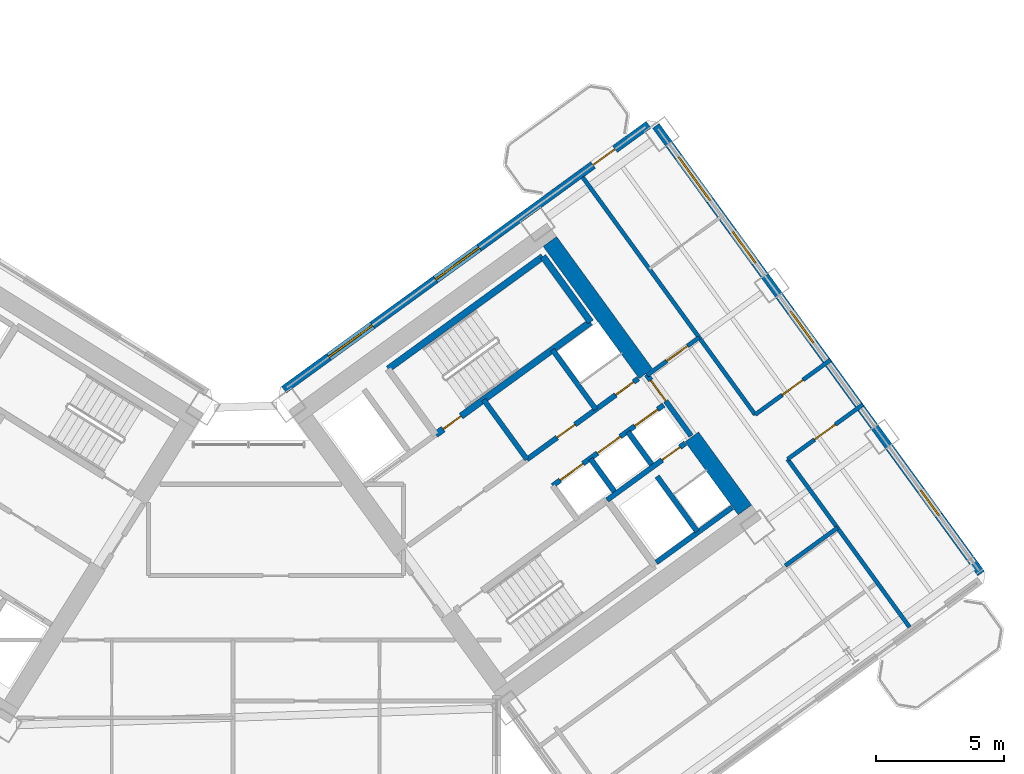
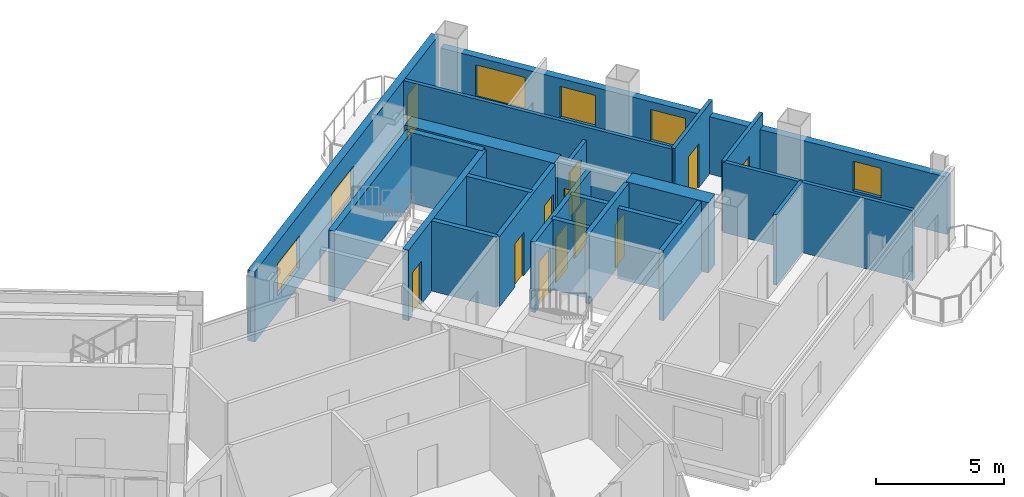
# One storey, part 19 of 28: 23 walls, 12 doors, 6 windows, 18 openings.
"""IFC4 building model written with IfcOpenShell, lengths in metres."""

from ifc_helpers import new_model, si_unit, direction, frame, frame_2d, origin, place, context, subcontext, project, spatial, rectangle, extrude, source, transform, mapped, material, layer, layer_set, type_object, element, fill, save


model = new_model("IFC4")

# Units and contexts
model_context = context("Model", 3, precision=1e-05, world=origin(), true_north=direction((0.0, 1.0)))
body_context = subcontext(model_context, "Body", "Model", "MODEL_VIEW")
ifc_project = project(units=[si_unit("LENGTHUNIT", "METRE"), si_unit("AREAUNIT", "SQUARE_METRE"), si_unit("VOLUMEUNIT", "CUBIC_METRE"), si_unit("PLANEANGLEUNIT", "RADIAN"), si_unit("MASSUNIT", "GRAM", prefix="KILO")], contexts=[model_context])

# Site, building, storey
site_placement = place(None, origin())
site = spatial("IfcSite", under=ifc_project, at=site_placement, CompositionType="ELEMENT")
building_placement = place(site_placement, origin())
building = spatial("IfcBuilding", under=site, at=building_placement, Name="Tlacorven Tower", CompositionType="ELEMENT")
storey_placement = place(building_placement, frame((0.0, 0.0, 49.199951171875)))
storey = spatial("IfcBuildingStorey", under=building, at=storey_placement, Name="L12", CompositionType="ELEMENT", Elevation=49.199951171875)

# Walls
ifc_material_1 = material(Name="Concrete C60/75", Category="concrete")
ifc_layer_1 = layer(ifc_material_1, 0.64990234375)
ifc_layer_set_1 = layer_set([ifc_layer_1], Name="Concrete C60/75")
wall_type_1 = type_object("IfcWallType", Name="WL-COR-650", PredefinedType="SHEAR", material=ifc_layer_set_1)
wall_1_placement = place(storey_placement, frame((61.9287109375, 20.494384765625, 0.0), z_axis=(0.0, 0.0, 1.0), x_axis=(-0.58782982593, 0.808984607855, 0.0)))
element("IfcWall", 1, at=wall_1_placement, inside=storey, type_object=wall_type_1, Name="L12 E core end wall E2.1", PredefinedType="SHEAR", context=body_context, shape_type="SweptSolid", body=[
    extrude(rectangle(XDim=3.52490234375, YDim=0.64990234375, at=frame_2d((1.762451171875, 0.0))), origin(), (0.0, 0.0, 1.0), 3.35009765625),
])
wall_2_placement = place(storey_placement, frame((58.06396484375, 25.8134765625, 0.0), z_axis=(0.0, 0.0, 1.0), x_axis=(-0.58777996584, 0.809020835181, 0.0)))
element("IfcWall", 2, at=wall_2_placement, inside=storey, type_object=wall_type_1, Name="L12 E core end wall E2.2", PredefinedType="SHEAR", context=body_context, shape_type="SweptSolid", body=[
    extrude(rectangle(XDim=6.375, YDim=0.64990234375, at=frame_2d((3.1875, 0.0))), origin(), (0.0, 0.0, 1.0), 3.35009765625),
])
ifc_material_2 = material(Name="Gypsum plasterboard acoustic partition", Category="gypsum")
ifc_layer_2 = layer(ifc_material_2, 0.159912109375)
ifc_layer_set_2 = layer_set([ifc_layer_2], Name="Gypsum plasterboard acoustic partition")
wall_type_2 = type_object("IfcWallType", Name="WL-DEM-160", PredefinedType="PARTITIONING", material=ifc_layer_set_2)
wall_3_placement = place(storey_placement, frame((63.5068359375, 18.322021484375, 0.0), z_axis=(0.0, 0.0, 1.0), x_axis=(0.809034604122, 0.587761013791, 0.0)))
element("IfcWall", 3, at=wall_3_placement, inside=storey, type_object=wall_type_2, Name="L12 partition 96", PredefinedType="PARTITIONING", context=body_context, shape_type="SweptSolid", body=[
    extrude(rectangle(XDim=2.510009765625, YDim=0.159912109375, at=frame_2d((1.2548828125, 0.0))), origin(), (0.0, 0.0, 1.0), 3.340087890625),
])

# Wall, opening, door
wall_4_placement = place(storey_placement, frame((58.111083984375, 25.748779296875, 0.0), z_axis=(0.0, 0.0, 1.0), x_axis=(0.809000999347, 0.58780726693, 0.0)))
wall_4 = element("IfcWall", 4, at=wall_4_placement, inside=storey, type_object=wall_type_2, Name="L12 partition 97", PredefinedType="PARTITIONING", context=body_context, shape_type="SweptSolid", body=[
    extrude(rectangle(XDim=2.510009765625, YDim=0.159912109375, at=frame_2d((1.2548828125, 0.0))), origin(), (0.0, 0.0, 1.0), 2.72509765625),
])
opening_1_placement = place(wall_4_placement, frame((0.949951171875, 0.0, 0.0)))
opening_1 = element("IfcOpeningElement", 5, at=opening_1_placement, cuts=wall_4, Name="Opening D11", PredefinedType="OPENING", context=body_context, shape_type="SweptSolid", body=[
    extrude(rectangle(XDim=1.0, YDim=2.10009765625, at=frame_2d((0.5, 1.050048828125))), frame((0.0, 0.08984375, 0.0), z_axis=(0.0, -1.0, 0.0), x_axis=(1.0, 0.0, 0.0)), (0.0, 0.0, 1.0), 0.179931640625),
])
ifc_material_3 = material(Name="Fire-rated steel door assembly", Category="steel")
door_type_1 = type_object("IfcDoorType", Name="DR-FLT-FD60-1000", OperationType="NOTDEFINED", PredefinedType="DOOR", material=ifc_material_3)
shared_shape_1 = source(origin(), body_context, "Body", "SweptSolid", [
    extrude(rectangle(XDim=1.0, YDim=2.10009765625, at=frame_2d((0.5, 1.050048828125))), frame((0.0, 0.02490234375, 0.0), z_axis=(0.0, -1.0, 0.0), x_axis=(1.0, 0.0, 0.0)), (0.0, 0.0, 1.0), 0.050048828125),
])
door_1_placement = place(opening_1_placement, origin())
door_1 = element("IfcDoor", 6, at=door_1_placement, inside=storey, type_object=door_type_1, Name="L12 door 060", OperationType="SINGLE_SWING_RIGHT", OverallHeight=2.10009765625, OverallWidth=1.0, PredefinedType="DOOR", context=body_context, shape_type="MappedRepresentation", body=[
    mapped(shared_shape_1, transform((0.0, 0.0, 0.0), scale=1.0)),
])
fill(opening_1, door_1)

# Walls
wall_5_placement = place(storey_placement, frame((68.35302734375, 15.922119140625, 0.0), z_axis=(0.0, 0.0, 1.0), x_axis=(-0.58776839458, 0.809029241952, 0.0)))
element("IfcWall", 7, at=wall_5_placement, inside=storey, type_object=wall_type_2, Name="L12 partition 98", PredefinedType="PARTITIONING", context=body_context, shape_type="SweptSolid", body=[
    extrude(rectangle(XDim=8.10009765625, YDim=0.159912109375, at=frame_2d((4.050048828125, 0.0))), origin(), (0.0, 0.0, 1.0), 3.340087890625),
])
wall_6_placement = place(storey_placement, frame((62.328125, 24.214599609375, 0.0), z_axis=(0.0, 0.0, 1.0), x_axis=(-0.587778600963, 0.809021826807, 0.0)))
element("IfcWall", 8, at=wall_6_placement, inside=storey, type_object=wall_type_2, Name="L12 partition 99", PredefinedType="PARTITIONING", context=body_context, shape_type="SweptSolid", body=[
    extrude(rectangle(XDim=11.449951171875, YDim=0.159912109375, at=frame_2d((5.72509765625, 0.0))), origin(), (0.0, 0.0, 1.0), 3.340087890625),
])

# Wall, opening, door
wall_7_placement = place(storey_placement, frame((63.592041015625, 22.475341796875, 0.0), z_axis=(0.0, 0.0, 1.0), x_axis=(0.809035546126, 0.58775971715, 0.0)))
wall_7 = element("IfcWall", 9, at=wall_7_placement, inside=storey, type_object=wall_type_2, Name="L12 partition 101", PredefinedType="PARTITIONING", context=body_context, shape_type="SweptSolid", body=[
    extrude(rectangle(XDim=3.6298828125, YDim=0.159912109375, at=frame_2d((1.81494140625, 0.0))), origin(), (0.0, 0.0, 1.0), 3.340087890625),
])
opening_2_placement = place(wall_7_placement, frame((1.304931640625, 0.0, 0.0)))
opening_2 = element("IfcOpeningElement", 10, at=opening_2_placement, cuts=wall_7, Name="Opening D11", PredefinedType="OPENING", context=body_context, shape_type="SweptSolid", body=[
    extrude(rectangle(XDim=1.0, YDim=2.10009765625, at=frame_2d((0.5, 1.050048828125))), frame((0.0, 0.08984375, 0.0), z_axis=(0.0, -1.0, 0.0), x_axis=(1.0, 0.0, 0.0)), (0.0, 0.0, 1.0), 0.179931640625),
])
door_2_placement = place(opening_2_placement, origin())
door_2 = element("IfcDoor", 11, at=door_2_placement, inside=storey, type_object=door_type_1, Name="L12 door 064", OperationType="SINGLE_SWING_RIGHT", OverallHeight=2.10009765625, OverallWidth=1.0, PredefinedType="DOOR", context=body_context, shape_type="MappedRepresentation", body=[
    mapped(shared_shape_1, transform((0.0, 0.0, 0.0), scale=1.0)),
])
fill(opening_2, door_2)

wall_8_placement = place(storey_placement, frame((62.328125, 24.214599609375, 0.0), z_axis=(0.0, 0.0, 1.0), x_axis=(0.809003564202, 0.587803736896, 0.0)))
wall_8 = element("IfcWall", 12, at=wall_8_placement, inside=storey, type_object=wall_type_2, Name="L12 partition 102", PredefinedType="PARTITIONING", context=body_context, shape_type="SweptSolid", body=[
    extrude(rectangle(XDim=3.630126953125, YDim=0.159912109375, at=frame_2d((1.81494140625, 0.0))), origin(), (0.0, 0.0, 1.0), 3.340087890625),
])
opening_3_placement = place(wall_8_placement, frame((1.304931640625, 0.0, 0.0)))
opening_3 = element("IfcOpeningElement", 13, at=opening_3_placement, cuts=wall_8, Name="Opening D11", PredefinedType="OPENING", context=body_context, shape_type="SweptSolid", body=[
    extrude(rectangle(XDim=1.0, YDim=2.10009765625, at=frame_2d((0.5, 1.050048828125))), frame((0.0, 0.08984375, 0.0), z_axis=(0.0, -1.0, 0.0), x_axis=(1.0, 0.0, 0.0)), (0.0, 0.0, 1.0), 0.179931640625),
])
door_3_placement = place(opening_3_placement, origin())
door_3 = element("IfcDoor", 14, at=door_3_placement, inside=storey, type_object=door_type_1, Name="L12 door 062", OperationType="SINGLE_SWING_RIGHT", OverallHeight=2.10009765625, OverallWidth=1.0, PredefinedType="DOOR", context=body_context, shape_type="MappedRepresentation", body=[
    mapped(shared_shape_1, transform((0.0, 0.0, 0.0), scale=1.0)),
])
fill(opening_3, door_3)

# Wall, openings, door, windows
ifc_material_4 = material(Name="Precast concrete C45/55", Category="concrete")
ifc_layer_3 = layer(ifc_material_4, 0.320068359375)
ifc_layer_set_3 = layer_set([ifc_layer_3], Name="Precast concrete C45/55")
wall_type_3 = type_object("IfcWallType", Name="WL-EXT-320", PredefinedType="STANDARD", material=ifc_layer_set_3)
wall_9_placement = place(storey_placement, frame((43.93798828125, 25.191650390625, 0.0), z_axis=(0.0, 0.0, 1.0), x_axis=(0.809016324578, 0.587786174187, 0.0)))
wall_9 = element("IfcWall", 15, at=wall_9_placement, inside=storey, type_object=wall_type_3, Name="L12 Masonry-Frame Recessed Facade Wall 4", PredefinedType="STANDARD", context=body_context, shape_type="SweptSolid", body=[
    extrude(rectangle(XDim=17.58740234375, YDim=0.320068359375, at=frame_2d((8.793701171875, 0.0))), origin(), (0.0, 0.0, 1.0), 3.35009765625),
])
opening_4_placement = place(wall_9_placement, frame((14.913818359375, 0.0, 0.0)))
opening_4 = element("IfcOpeningElement", 16, at=opening_4_placement, cuts=wall_9, Name="Opening D06", PredefinedType="OPENING", context=body_context, shape_type="SweptSolid", body=[
    extrude(rectangle(XDim=1.050048828125, YDim=2.14990234375, at=frame_2d((0.52490234375, 1.074951171875))), frame((0.0, 0.169921875, 0.0), z_axis=(0.0, -1.0, 0.0), x_axis=(1.0, 0.0, 0.0)), (0.0, 0.0, 1.0), 0.340087890625),
])
opening_5_placement = place(wall_9_placement, frame((2.168701171875, 0.0, 0.800048828125)))
opening_5 = element("IfcOpeningElement", 17, at=opening_5_placement, cuts=wall_9, Name="Opening WN04", PredefinedType="OPENING", context=body_context, shape_type="SweptSolid", body=[
    extrude(rectangle(XDim=2.10009765625, YDim=1.550048828125, at=frame_2d((1.050048828125, 0.77490234375))), frame((0.0, 0.169921875, 0.0), z_axis=(0.0, -1.0, 0.0), x_axis=(1.0, 0.0, 0.0)), (0.0, 0.0, 1.0), 0.340087890625),
])
opening_6_placement = place(wall_9_placement, frame((7.318603515625, 0.0, 0.800048828125)))
opening_6 = element("IfcOpeningElement", 18, at=opening_6_placement, cuts=wall_9, Name="Opening WN04", PredefinedType="OPENING", context=body_context, shape_type="SweptSolid", body=[
    extrude(rectangle(XDim=2.10009765625, YDim=1.550048828125, at=frame_2d((1.050048828125, 0.77490234375))), frame((0.0, 0.169921875, 0.0), z_axis=(0.0, -1.0, 0.0), x_axis=(1.0, 0.0, 0.0)), (0.0, 0.0, 1.0), 0.340087890625),
])
ifc_material_5 = material(Name="Powder-coated aluminium and timber door", Category="wood")
door_type_2 = type_object("IfcDoorType", Name="DR-EXT-BALC-1050", OperationType="NOTDEFINED", PredefinedType="DOOR", material=ifc_material_5)
shared_shape_2 = source(origin(), body_context, "Body", "SweptSolid", [
    extrude(rectangle(XDim=1.050048828125, YDim=2.14990234375, at=frame_2d((0.52490234375, 1.074951171875))), frame((0.0, 0.02490234375, 0.0), z_axis=(0.0, -1.0, 0.0), x_axis=(1.0, 0.0, 0.0)), (0.0, 0.0, 1.0), 0.050048828125),
])
door_4_placement = place(opening_4_placement, origin())
door_4 = element("IfcDoor", 19, at=door_4_placement, inside=storey, type_object=door_type_2, Name="L12 Outdoor Access Door BAL-L12-E-IN", OperationType="SINGLE_SWING_RIGHT", OverallHeight=2.14990234375, OverallWidth=1.050048828125, PredefinedType="DOOR", context=body_context, shape_type="MappedRepresentation", body=[
    mapped(shared_shape_2, transform((0.0, 0.0, 0.0), scale=1.0)),
])
fill(opening_4, door_4)
ifc_material_6 = material(Name="Dark solar low-E double glazing in anodised aluminium frame", Category="aluminium")
window_type_1 = type_object("IfcWindowType", Name="WN-APT-2100X1750", PartitioningType="SINGLE_PANEL", PredefinedType="WINDOW", material=ifc_material_6)
shared_shape_3 = source(origin(), body_context, "Body", "SweptSolid", [
    extrude(rectangle(XDim=2.10009765625, YDim=1.550048828125, at=frame_2d((1.050048828125, 0.77490234375))), frame((0.0, 0.030029296875, 0.0), z_axis=(0.0, -1.0, 0.0), x_axis=(1.0, 0.0, 0.0)), (0.0, 0.0, 1.0), 0.06005859375),
])
window_1_placement = place(opening_5_placement, origin())
window_1 = element("IfcWindow", 20, at=window_1_placement, inside=storey, type_object=window_type_1, Name="L12 Recessed Masonry-Frame Window L12-04.1", OverallHeight=1.550048828125, OverallWidth=2.10009765625, PartitioningType="SINGLE_PANEL", PredefinedType="WINDOW", context=body_context, shape_type="MappedRepresentation", body=[
    mapped(shared_shape_3, transform((0.0, 0.0, 0.0), scale=1.0)),
])
fill(opening_5, window_1)
window_2_placement = place(opening_6_placement, origin())
window_2 = element("IfcWindow", 21, at=window_2_placement, inside=storey, type_object=window_type_1, Name="L12 Recessed Masonry-Frame Window L12-04.2", OverallHeight=1.550048828125, OverallWidth=2.10009765625, PartitioningType="SINGLE_PANEL", PredefinedType="WINDOW", context=body_context, shape_type="MappedRepresentation", body=[
    mapped(shared_shape_3, transform((0.0, 0.0, 0.0), scale=1.0)),
])
fill(opening_6, window_2)

# Wall, openings, windows
wall_10_placement = place(storey_placement, frame((58.45458984375, 35.483642578125, 0.0), z_axis=(0.0, 0.0, 1.0), x_axis=(0.587783625747, -0.809018176127, 0.0)))
wall_10 = element("IfcWall", 22, at=wall_10_placement, inside=storey, type_object=wall_type_3, Name="L12 Masonry-Frame Recessed Facade Wall 5", PredefinedType="STANDARD", context=body_context, shape_type="SweptSolid", body=[
    extrude(rectangle(XDim=21.58740234375, YDim=0.320068359375, at=frame_2d((10.793701171875, 0.0))), origin(), (0.0, 0.0, 1.0), 2.72509765625),
])
opening_7_placement = place(wall_10_placement, frame((1.500244140625, 0.0, 0.800048828125)))
opening_7 = element("IfcOpeningElement", 23, at=opening_7_placement, cuts=wall_10, Name="Opening WN04", PredefinedType="OPENING", context=body_context, shape_type="SweptSolid", body=[
    extrude(rectangle(XDim=2.10009765625, YDim=1.550048828125, at=frame_2d((1.050048828125, 0.77490234375))), frame((0.0, 0.169921875, 0.0), z_axis=(0.0, -1.0, 0.0), x_axis=(1.0, 0.0, 0.0)), (0.0, 0.0, 1.0), 0.340087890625),
])
opening_8_placement = place(wall_10_placement, frame((5.105224609375, 0.0, 0.85009765625)))
opening_8 = element("IfcOpeningElement", 24, at=opening_8_placement, cuts=wall_10, Name="Opening WN02", PredefinedType="OPENING", context=body_context, shape_type="SweptSolid", body=[
    extrude(rectangle(XDim=1.5, YDim=1.5, at=frame_2d((0.75, 0.75))), frame((0.0, 0.169921875, 0.0), z_axis=(0.0, -1.0, 0.0), x_axis=(1.0, 0.0, 0.0)), (0.0, 0.0, 1.0), 0.340087890625),
])
opening_9_placement = place(wall_10_placement, frame((8.95361328125, 0.0, 0.85009765625)))
opening_9 = element("IfcOpeningElement", 25, at=opening_9_placement, cuts=wall_10, Name="Opening WN02", PredefinedType="OPENING", context=body_context, shape_type="SweptSolid", body=[
    extrude(rectangle(XDim=1.5, YDim=1.5, at=frame_2d((0.75, 0.75))), frame((0.0, 0.169921875, 0.0), z_axis=(0.0, -1.0, 0.0), x_axis=(1.0, 0.0, 0.0)), (0.0, 0.0, 1.0), 0.340087890625),
])
opening_10_placement = place(wall_10_placement, frame((17.581298828125, 0.0, 0.949951171875)))
opening_10 = element("IfcOpeningElement", 26, at=opening_10_placement, cuts=wall_10, Name="Opening WN03", PredefinedType="OPENING", context=body_context, shape_type="SweptSolid", body=[
    extrude(rectangle(XDim=1.199951171875, YDim=1.39990234375, at=frame_2d((0.60009765625, 0.699951171875))), frame((0.0, 0.169921875, 0.0), z_axis=(0.0, -1.0, 0.0), x_axis=(1.0, 0.0, 0.0)), (0.0, 0.0, 1.0), 0.340087890625),
])
window_3_placement = place(opening_7_placement, origin())
window_3 = element("IfcWindow", 27, at=window_3_placement, inside=storey, type_object=window_type_1, Name="L12 Recessed Masonry-Frame Window L12-05.1", OverallHeight=1.550048828125, OverallWidth=2.10009765625, PartitioningType="SINGLE_PANEL", PredefinedType="WINDOW", context=body_context, shape_type="MappedRepresentation", body=[
    mapped(shared_shape_3, transform((0.0, 0.0, 0.0), scale=1.0)),
])
fill(opening_7, window_3)
window_type_2 = type_object("IfcWindowType", Name="WN-APT-1200X1500", PartitioningType="SINGLE_PANEL", PredefinedType="WINDOW", material=ifc_material_6)
shared_shape_4 = source(origin(), body_context, "Body", "SweptSolid", [
    extrude(rectangle(XDim=1.199951171875, YDim=1.39990234375, at=frame_2d((0.60009765625, 0.699951171875))), frame((0.0, 0.030029296875, 0.0), z_axis=(0.0, -1.0, 0.0), x_axis=(1.0, 0.0, 0.0)), (0.0, 0.0, 1.0), 0.06005859375),
])
window_4_placement = place(opening_10_placement, origin())
window_4 = element("IfcWindow", 28, at=window_4_placement, inside=storey, type_object=window_type_2, Name="L12 Recessed Masonry-Frame Window L12-05.4", OverallHeight=1.39990234375, OverallWidth=1.199951171875, PartitioningType="SINGLE_PANEL", PredefinedType="WINDOW", context=body_context, shape_type="MappedRepresentation", body=[
    mapped(shared_shape_4, transform((0.0, 0.0, 0.0), scale=1.0)),
])
fill(opening_10, window_4)
window_type_3 = type_object("IfcWindowType", Name="WN-APT-1500X1650", PartitioningType="SINGLE_PANEL", PredefinedType="WINDOW", material=ifc_material_6)
shared_shape_5 = source(origin(), body_context, "Body", "SweptSolid", [
    extrude(rectangle(XDim=1.5, YDim=1.5, at=frame_2d((0.75, 0.75))), frame((0.0, 0.030029296875, 0.0), z_axis=(0.0, -1.0, 0.0), x_axis=(1.0, 0.0, 0.0)), (0.0, 0.0, 1.0), 0.06005859375),
])
window_5_placement = place(opening_8_placement, origin())
window_5 = element("IfcWindow", 29, at=window_5_placement, inside=storey, type_object=window_type_3, Name="L12 Recessed Masonry-Frame Window L12-05.2", OverallHeight=1.5, OverallWidth=1.5, PartitioningType="SINGLE_PANEL", PredefinedType="WINDOW", context=body_context, shape_type="MappedRepresentation", body=[
    mapped(shared_shape_5, transform((0.0, 0.0, 0.0), scale=1.0)),
])
fill(opening_8, window_5)
window_6_placement = place(opening_9_placement, origin())
window_6 = element("IfcWindow", 30, at=window_6_placement, inside=storey, type_object=window_type_3, Name="L12 Recessed Masonry-Frame Window L12-05.3", OverallHeight=1.5, OverallWidth=1.5, PartitioningType="SINGLE_PANEL", PredefinedType="WINDOW", context=body_context, shape_type="MappedRepresentation", body=[
    mapped(shared_shape_5, transform((0.0, 0.0, 0.0), scale=1.0)),
])
fill(opening_9, window_6)

# Wall, opening, door
ifc_material_7 = material(Name="Concrete C40/50", Category="concrete")
ifc_layer_4 = layer(ifc_material_7, 0.199951171875)
ifc_layer_set_4 = layer_set([ifc_layer_4], Name="Concrete C40/50")
wall_type_4 = type_object("IfcWallType", Name="WL-SHF-200", PredefinedType="STANDARD", material=ifc_layer_set_4)
wall_11_placement = place(storey_placement, frame((56.552978515625, 20.884033203125, 0.0), z_axis=(0.0, 0.0, 1.0), x_axis=(0.809035789462, 0.587759382205, 0.0)))
wall_11 = element("IfcWall", 31, at=wall_11_placement, inside=storey, type_object=wall_type_4, Name="L12 Core E South Lift Shaft Wall", PredefinedType="STANDARD", context=body_context, shape_type="SweptSolid", body=[
    extrude(rectangle(XDim=3.767822265625, YDim=0.199951171875, at=frame_2d((1.8837890625, 0.0))), origin(), (0.0, 0.0, 1.0), 3.340087890625),
])
opening_11_placement = place(wall_11_placement, frame((2.64990234375, 0.0, 0.0)))
opening_11 = element("IfcOpeningElement", 32, at=opening_11_placement, cuts=wall_11, Name="Opening D19", PredefinedType="OPENING", context=body_context, shape_type="SweptSolid", body=[
    extrude(rectangle(XDim=0.860107421875, YDim=2.050048828125, at=frame_2d((0.43017578125, 1.02490234375))), frame((0.0, 0.10986328125, 0.0), z_axis=(0.0, -1.0, 0.0), x_axis=(1.0, 0.0, 0.0)), (0.0, 0.0, 1.0), 0.219970703125),
])
door_type_3 = type_object("IfcDoorType", Name="DR-RSR-FD60-0860", OperationType="NOTDEFINED", PredefinedType="DOOR", material=ifc_material_3)
shared_shape_6 = source(origin(), body_context, "Body", "SweptSolid", [
    extrude(rectangle(XDim=0.860107421875, YDim=2.050048828125, at=frame_2d((0.43017578125, 1.02490234375))), frame((0.0, 0.02490234375, 0.0), z_axis=(0.0, -1.0, 0.0), x_axis=(1.0, 0.0, 0.0)), (0.0, 0.0, 1.0), 0.050048828125),
])
door_5_placement = place(opening_11_placement, origin())
door_5 = element("IfcDoor", 33, at=door_5_placement, inside=storey, type_object=door_type_3, Name="L12 Smoke Extract Riser Access Door", OperationType="SINGLE_SWING_LEFT", OverallHeight=2.050048828125, OverallWidth=0.860107421875, PredefinedType="DOOR", context=body_context, shape_type="MappedRepresentation", body=[
    mapped(shared_shape_6, transform((0.0, 0.0, 0.0), scale=1.0)),
])
fill(opening_11, door_5)

# Wall, openings, doors
wall_12_placement = place(storey_placement, frame((54.421142578125, 21.436279296875, 0.0), z_axis=(0.0, 0.0, 1.0), x_axis=(0.809013710463, 0.587789772183, 0.0)))
wall_12 = element("IfcWall", 34, at=wall_12_placement, inside=storey, type_object=wall_type_4, Name="L12 partition 36", PredefinedType="STANDARD", context=body_context, shape_type="SweptSolid", body=[
    extrude(rectangle(XDim=5.360107421875, YDim=0.199951171875, at=frame_2d((2.68017578125, 0.0))), origin(), (0.0, 0.0, 1.0), 3.340087890625),
])
opening_12_placement = place(wall_12_placement, frame((0.3701171875, 0.0, 0.0)))
opening_12 = element("IfcOpeningElement", 35, at=opening_12_placement, cuts=wall_12, Name="Opening LD01", PredefinedType="OPENING", context=body_context, shape_type="SweptSolid", body=[
    extrude(rectangle(XDim=1.10009765625, YDim=2.14990234375, at=frame_2d((0.550048828125, 1.074951171875))), frame((0.0, 0.10986328125, 0.0), z_axis=(0.0, -1.0, 0.0), x_axis=(1.0, 0.0, 0.0)), (0.0, 0.0, 1.0), 0.219970703125),
])
opening_13_placement = place(wall_12_placement, frame((2.169921875, 0.0, 0.0)))
opening_13 = element("IfcOpeningElement", 36, at=opening_13_placement, cuts=wall_12, Name="Opening LD01", PredefinedType="OPENING", context=body_context, shape_type="SweptSolid", body=[
    extrude(rectangle(XDim=1.10009765625, YDim=2.14990234375, at=frame_2d((0.550048828125, 1.074951171875))), frame((0.0, 0.10986328125, 0.0), z_axis=(0.0, -1.0, 0.0), x_axis=(1.0, 0.0, 0.0)), (0.0, 0.0, 1.0), 0.219970703125),
])
opening_14_placement = place(wall_12_placement, frame((3.969970703125, 0.0, 0.0)))
opening_14 = element("IfcOpeningElement", 37, at=opening_14_placement, cuts=wall_12, Name="Opening LD01", PredefinedType="OPENING", context=body_context, shape_type="SweptSolid", body=[
    extrude(rectangle(XDim=1.10009765625, YDim=2.14990234375, at=frame_2d((0.550048828125, 1.074951171875))), frame((0.0, 0.10986328125, 0.0), z_axis=(0.0, -1.0, 0.0), x_axis=(1.0, 0.0, 0.0)), (0.0, 0.0, 1.0), 0.219970703125),
])
door_type_4 = type_object("IfcDoorType", Name="DR-LFT-SLID-1100", OperationType="DOUBLE_DOOR_SLIDING", PredefinedType="DOOR", material=ifc_material_3)
shared_shape_7 = source(origin(), body_context, "Body", "SweptSolid", [
    extrude(rectangle(XDim=1.10009765625, YDim=2.14990234375, at=frame_2d((0.550048828125, 1.074951171875))), frame((0.0, 0.02490234375, 0.0), z_axis=(0.0, -1.0, 0.0), x_axis=(1.0, 0.0, 0.0)), (0.0, 0.0, 1.0), 0.050048828125),
])
door_6_placement = place(opening_12_placement, origin())
door_6 = element("IfcDoor", 38, at=door_6_placement, inside=storey, type_object=door_type_4, Name="L12 Lift PL-L1 Sliding Landing Door", OperationType="DOUBLE_DOOR_SLIDING", OverallHeight=2.14990234375, OverallWidth=1.10009765625, PredefinedType="DOOR", context=body_context, shape_type="MappedRepresentation", body=[
    mapped(shared_shape_7, transform((0.0, 0.0, 0.0), scale=1.0)),
])
fill(opening_12, door_6)
door_7_placement = place(opening_13_placement, origin())
door_7 = element("IfcDoor", 39, at=door_7_placement, inside=storey, type_object=door_type_4, Name="L12 Lift PL-L2 Sliding Landing Door", OperationType="DOUBLE_DOOR_SLIDING", OverallHeight=2.14990234375, OverallWidth=1.10009765625, PredefinedType="DOOR", context=body_context, shape_type="MappedRepresentation", body=[
    mapped(shared_shape_7, transform((0.0, 0.0, 0.0), scale=1.0)),
])
fill(opening_13, door_7)
door_8_placement = place(opening_14_placement, origin())
door_8 = element("IfcDoor", 40, at=door_8_placement, inside=storey, type_object=door_type_4, Name="L12 Lift PL-L3 Sliding Landing Door", OperationType="DOUBLE_DOOR_SLIDING", OverallHeight=2.14990234375, OverallWidth=1.10009765625, PredefinedType="DOOR", context=body_context, shape_type="MappedRepresentation", body=[
    mapped(shared_shape_7, transform((0.0, 0.0, 0.0), scale=1.0)),
])
fill(opening_14, door_8)

# Walls
wall_13_placement = place(storey_placement, frame((56.833984375, 21.211669921875, 0.0), z_axis=(0.0, 0.0, 1.0), x_axis=(-0.58776738483, 0.809029975545, 0.0)))
element("IfcWall", 41, at=wall_13_placement, inside=storey, type_object=wall_type_4, Name="L12 partition 39", PredefinedType="STANDARD", context=body_context, shape_type="SweptSolid", body=[
    extrude(rectangle(XDim=1.580078125, YDim=0.199951171875, at=frame_2d((0.7900390625, 0.0))), origin(), (0.0, 0.0, 1.0), 3.340087890625),
])
wall_14_placement = place(storey_placement, frame((58.290283203125, 22.269775390625, 0.0), z_axis=(0.0, 0.0, 1.0), x_axis=(-0.587840865826, 0.808976585857, 0.0)))
element("IfcWall", 42, at=wall_14_placement, inside=storey, type_object=wall_type_4, Name="L12 partition 40", PredefinedType="STANDARD", context=body_context, shape_type="SweptSolid", body=[
    extrude(rectangle(XDim=1.579833984375, YDim=0.199951171875, at=frame_2d((0.7900390625, 0.0))), origin(), (0.0, 0.0, 1.0), 3.340087890625),
])
wall_15_placement = place(storey_placement, frame((60.066650390625, 19.654541015625, 0.0), z_axis=(0.0, 0.0, 1.0), x_axis=(-0.587800520745, 0.809005900975, 0.0)))
element("IfcWall", 43, at=wall_15_placement, inside=storey, type_object=wall_type_4, Name="L12 partition 41", PredefinedType="STANDARD", context=body_context, shape_type="SweptSolid", body=[
    extrude(rectangle(XDim=2.659912109375, YDim=0.199951171875, at=frame_2d((1.330078125, 0.0))), origin(), (0.0, 0.0, 1.0), 3.340087890625),
])
wall_16_placement = place(storey_placement, frame((58.47216796875, 18.446533203125, 0.0), z_axis=(0.0, 0.0, 1.0), x_axis=(0.809022487728, 0.587777691266, 0.0)))
element("IfcWall", 44, at=wall_16_placement, inside=storey, type_object=wall_type_4, Name="L12 partition 43", PredefinedType="STANDARD", context=body_context, shape_type="SweptSolid", body=[
    extrude(rectangle(XDim=3.648193359375, YDim=0.199951171875, at=frame_2d((1.82421875, 0.0))), origin(), (0.0, 0.0, 1.0), 3.340087890625),
])
wall_17_placement = place(storey_placement, frame((53.424560546875, 22.467529296875, 0.0), z_axis=(0.0, 0.0, 1.0), x_axis=(-0.5877230039, 0.809062216821, 0.0)))
element("IfcWall", 45, at=wall_17_placement, inside=storey, type_object=wall_type_4, Name="L12 partition 45", PredefinedType="STANDARD", context=body_context, shape_type="SweptSolid", body=[
    extrude(rectangle(XDim=2.8798828125, YDim=0.199951171875, at=frame_2d((1.43994140625, 0.0))), origin(), (0.0, 0.0, 1.0), 3.340087890625),
])
wall_18_placement = place(storey_placement, frame((56.110595703125, 24.4189453125, 0.0), z_axis=(0.0, 0.0, 1.0), x_axis=(-0.58777848983, 0.809021907548, 0.0)))
element("IfcWall", 46, at=wall_18_placement, inside=storey, type_object=wall_type_4, Name="L12 partition 46", PredefinedType="STANDARD", context=body_context, shape_type="SweptSolid", body=[
    extrude(rectangle(XDim=2.880126953125, YDim=0.199951171875, at=frame_2d((1.43994140625, 0.0))), origin(), (0.0, 0.0, 1.0), 3.340087890625),
])

# Wall, openings, doors
wall_19_placement = place(storey_placement, frame((53.424560546875, 22.467529296875, 0.0), z_axis=(0.0, 0.0, 1.0), x_axis=(0.80902705128, 0.587771409902, 0.0)))
wall_19 = element("IfcWall", 47, at=wall_19_placement, inside=storey, type_object=wall_type_4, Name="L12 Core E North Service Wall", PredefinedType="STANDARD", context=body_context, shape_type="SweptSolid", body=[
    extrude(rectangle(XDim=5.3681640625, YDim=0.199951171875, at=frame_2d((2.68408203125, 0.0))), origin(), (0.0, 0.0, 1.0), 3.340087890625),
])
opening_15_placement = place(wall_19_placement, frame((4.280029296875, 0.0, 0.0)))
opening_15 = element("IfcOpeningElement", 48, at=opening_15_placement, cuts=wall_19, Name="Opening D19", PredefinedType="OPENING", context=body_context, shape_type="SweptSolid", body=[
    extrude(rectangle(XDim=0.860107421875, YDim=2.050048828125, at=frame_2d((0.43017578125, 1.02490234375))), frame((0.0, 0.10986328125, 0.0), z_axis=(0.0, -1.0, 0.0), x_axis=(1.0, 0.0, 0.0)), (0.0, 0.0, 1.0), 0.219970703125),
])
opening_16_placement = place(wall_19_placement, frame((1.449951171875, 0.0, 0.0)))
opening_16 = element("IfcOpeningElement", 49, at=opening_16_placement, cuts=wall_19, Name="Opening D19", PredefinedType="OPENING", context=body_context, shape_type="SweptSolid", body=[
    extrude(rectangle(XDim=0.860107421875, YDim=2.050048828125, at=frame_2d((0.43017578125, 1.02490234375))), frame((0.0, 0.10986328125, 0.0), z_axis=(0.0, -1.0, 0.0), x_axis=(1.0, 0.0, 0.0)), (0.0, 0.0, 1.0), 0.219970703125),
])
door_9_placement = place(opening_15_placement, frame((0.860107421875, 0.0, 0.0), z_axis=(0.0, 0.0, 1.0), x_axis=(-1.0, 0.0, 0.0)))
door_9 = element("IfcDoor", 50, at=door_9_placement, inside=storey, type_object=door_type_3, Name="L12 Electrical Riser Access Door E", OperationType="SINGLE_SWING_RIGHT", OverallHeight=2.050048828125, OverallWidth=0.860107421875, PredefinedType="DOOR", context=body_context, shape_type="MappedRepresentation", body=[
    mapped(shared_shape_6, transform((0.0, 0.0, 0.0), scale=1.0)),
])
fill(opening_15, door_9)
door_10_placement = place(opening_16_placement, frame((0.860107421875, 0.0, 0.0), z_axis=(0.0, 0.0, 1.0), x_axis=(-1.0, 0.0, 0.0)))
door_10 = element("IfcDoor", 51, at=door_10_placement, inside=storey, type_object=door_type_3, Name="L12 Housekeeping Linen Access Door E", OperationType="SINGLE_SWING_LEFT", OverallHeight=2.050048828125, OverallWidth=0.860107421875, PredefinedType="DOOR", context=body_context, shape_type="MappedRepresentation", body=[
    mapped(shared_shape_6, transform((0.0, 0.0, 0.0), scale=1.0)),
])
fill(opening_16, door_10)

# Wall, opening, door
wall_20_placement = place(storey_placement, frame((59.827392578125, 23.386474609375, 0.0), z_axis=(0.0, 0.0, 1.0), x_axis=(-0.587803840107, 0.809003489211, 0.0)))
wall_20 = element("IfcWall", 52, at=wall_20_placement, inside=storey, type_object=wall_type_4, Name="L12 partition 95", PredefinedType="STANDARD", context=body_context, shape_type="SweptSolid", body=[
    extrude(rectangle(XDim=2.960205078125, YDim=0.199951171875, at=frame_2d((1.47998046875, 0.0))), origin(), (0.0, 0.0, 1.0), 3.340087890625),
])
opening_17_placement = place(wall_20_placement, frame((1.679931640625, 0.0, 0.0)))
opening_17 = element("IfcOpeningElement", 53, at=opening_17_placement, cuts=wall_20, Name="Opening D11", PredefinedType="OPENING", context=body_context, shape_type="SweptSolid", body=[
    extrude(rectangle(XDim=1.0, YDim=2.10009765625, at=frame_2d((0.5, 1.050048828125))), frame((0.0, 0.10986328125, 0.0), z_axis=(0.0, -1.0, 0.0), x_axis=(1.0, 0.0, 0.0)), (0.0, 0.0, 1.0), 0.219970703125),
])
door_11_placement = place(opening_17_placement, origin())
door_11 = element("IfcDoor", 54, at=door_11_placement, inside=storey, type_object=door_type_1, Name="L12 door 061", OperationType="SINGLE_SWING_LEFT", OverallHeight=2.10009765625, OverallWidth=1.0, PredefinedType="DOOR", context=body_context, shape_type="MappedRepresentation", body=[
    mapped(shared_shape_1, transform((0.0, 0.0, 0.0), scale=1.0)),
])
fill(opening_17, door_11)

# Wall
ifc_material_8 = material(Name="Concrete C50/60", Category="concrete")
ifc_layer_5 = layer(ifc_material_8, 0.260009765625)
ifc_layer_set_5 = layer_set([ifc_layer_5], Name="Concrete C50/60")
wall_type_5 = type_object("IfcWallType", Name="WL-STW-260", PredefinedType="SHEAR", material=ifc_layer_set_5)
wall_21_placement = place(storey_placement, frame((48.005615234375, 25.996337890625, 0.0), z_axis=(0.0, 0.0, 1.0), x_axis=(0.80901903764, 0.587782439969, 0.0)))
element("IfcWall", 55, at=wall_21_placement, inside=storey, type_object=wall_type_5, Name="L12 Stair E1 Far Shear Wall", PredefinedType="SHEAR", context=body_context, shape_type="SweptSolid", body=[
    extrude(rectangle(XDim=7.4599609375, YDim=0.260009765625, at=frame_2d((3.72998046875, 0.0))), origin(), (0.0, 0.0, 1.0), 3.35009765625),
])

# Wall, opening, door
wall_22_placement = place(storey_placement, frame((49.863037109375, 23.439697265625, 0.0), z_axis=(0.0, 0.0, 1.0), x_axis=(0.809003474932, 0.587803859759, 0.0)))
wall_22 = element("IfcWall", 56, at=wall_22_placement, inside=storey, type_object=wall_type_5, Name="L12 Stair E1 Lobby Shear Wall", PredefinedType="SHEAR", context=body_context, shape_type="SweptSolid", body=[
    extrude(rectangle(XDim=7.4599609375, YDim=0.260009765625, at=frame_2d((3.72998046875, 0.0))), origin(), (0.0, 0.0, 1.0), 3.35009765625),
])
opening_18_placement = place(wall_22_placement, frame((0.360107421875, 0.0, 0.0)))
opening_18 = element("IfcOpeningElement", 57, at=opening_18_placement, cuts=wall_22, Name="Opening D19", PredefinedType="OPENING", context=body_context, shape_type="SweptSolid", body=[
    extrude(rectangle(XDim=0.860107421875, YDim=2.050048828125, at=frame_2d((0.43017578125, 1.02490234375))), frame((0.0, 0.14013671875, 0.0), z_axis=(0.0, -1.0, 0.0), x_axis=(1.0, 0.0, 0.0)), (0.0, 0.0, 1.0), 0.280029296875),
])
door_12_placement = place(opening_18_placement, frame((0.860107421875, 0.0, 0.0), z_axis=(0.0, 0.0, 1.0), x_axis=(-1.0, 0.0, 0.0)))
door_12 = element("IfcDoor", 58, at=door_12_placement, inside=storey, type_object=door_type_3, Name="L12 Exit Stair E1 Fire Door", OperationType="SINGLE_SWING_LEFT", OverallHeight=2.050048828125, OverallWidth=0.860107421875, PredefinedType="DOOR", context=body_context, shape_type="MappedRepresentation", body=[
    mapped(shared_shape_6, transform((0.0, 0.0, 0.0), scale=1.0)),
])
fill(opening_18, door_12)

# Wall
wall_23_placement = place(storey_placement, frame((55.906494140625, 27.83056640625, 0.0), z_axis=(0.0, 0.0, 1.0), x_axis=(-0.587804123638, 0.809003283204, 0.0)))
element("IfcWall", 59, at=wall_23_placement, inside=storey, type_object=wall_type_5, Name="L12 Stair E1 East Shear Wall", PredefinedType="SHEAR", context=body_context, shape_type="SweptSolid", body=[
    extrude(rectangle(XDim=3.159912109375, YDim=0.260009765625, at=frame_2d((1.580078125, 0.0))), origin(), (0.0, 0.0, 1.0), 3.35009765625),
])

save(model, "model.ifc")
